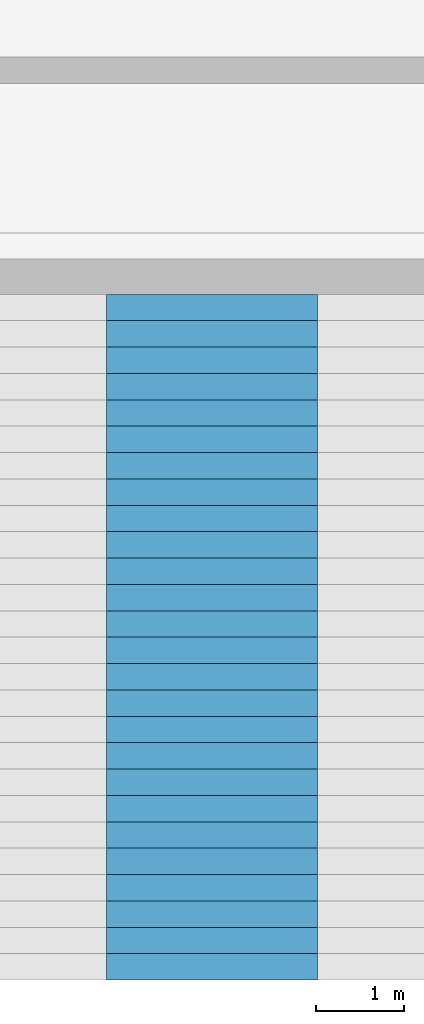
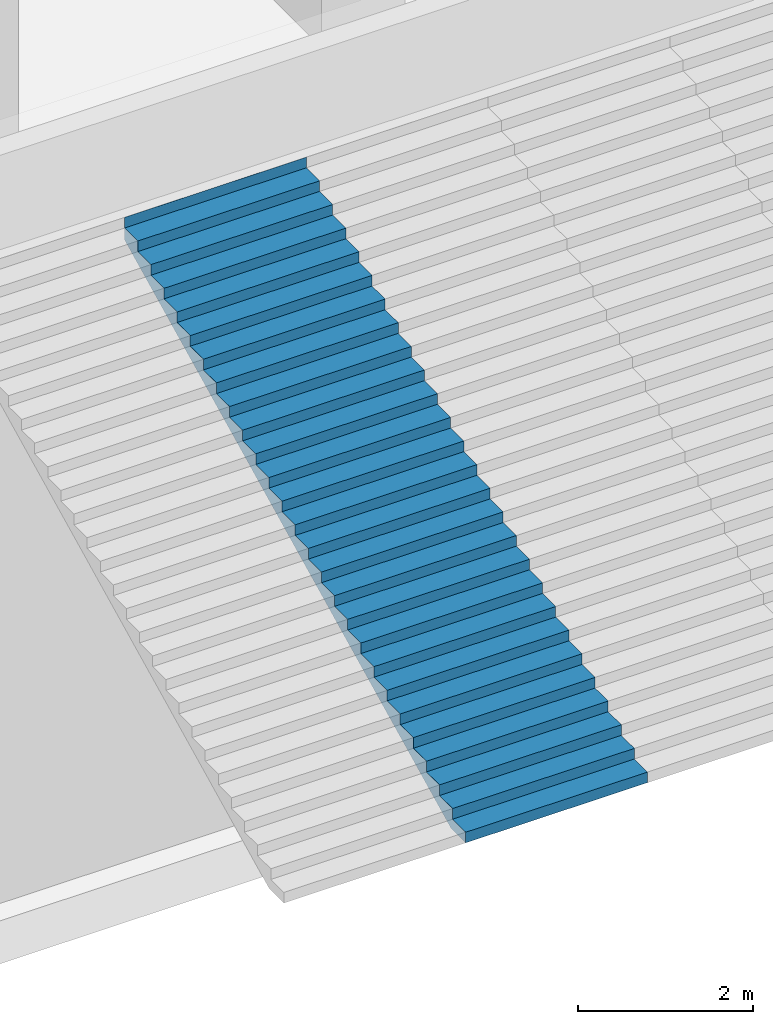
# One storey, part 24 of 45: 1 stair flight, 1 element without a shape of its own.
"""IFC4 building model written with IfcOpenShell, lengths in metres."""

import ifcopenshell
import ifcopenshell.guid

model = None  # the IFC model being written
_history = None  # IfcOwnerHistory: only IFC2X3 demands one
_inside = {}  # id of a spatial element -> (the spatial element, [elements in it])
_under = {}  # id of a project, library or spatial element -> (it, [spatial elements below it])
_declared = {}  # id of a project -> (the project, [libraries it declares])
_typed = {}  # id of a type object -> (the type object, [elements of that type])
_made_of = {}  # id of a material, layer set ... -> (it, [elements and type objects made of it])


def new_model(schema):
    """Start an empty IFC model of exactly this schema.

    Asked for "IFC4X3", IfcOpenShell would pick the latest addendum, in which some entities
    have other attributes; the version numbers below select the first issue.
    IFC2X3 requires an IfcOwnerHistory on every rooted entity: one is made here for all.
    """
    global model, _history
    if schema == "IFC4X3":
        model = ifcopenshell.file(schema_version=(4, 3, 0, 0))
    else:
        model = ifcopenshell.file(schema=schema)
    _inside.clear()
    _under.clear()
    _declared.clear()
    _typed.clear()
    _made_of.clear()
    _history = None
    if model.schema == "IFC2X3":
        org = make("IfcOrganization", Name="unknown")
        user = make(
            "IfcPersonAndOrganization",
            ThePerson=make("IfcPerson", FamilyName="unknown"),
            TheOrganization=org,
        )
        app = make(
            "IfcApplication",
            ApplicationDeveloper=org,
            Version="unknown",
            ApplicationFullName="unknown",
            ApplicationIdentifier="unknown",
        )
        _history = make(
            "IfcOwnerHistory",
            OwningUser=user,
            OwningApplication=app,
            ChangeAction="ADDED",
            CreationDate=0,
        )
    return model


def make(cls, **values):
    """One entity of the class cls with the attributes given. An attribute that is None is left unset."""
    return model.create_entity(
        cls, **{name: value for name, value in values.items() if value is not None}
    )


def rooted(cls, **values):
    """An entity with a GlobalId (a new one), such as an element, a storey or a relation."""
    return make(cls, GlobalId=ifcopenshell.guid.new(), OwnerHistory=_history, **values)


def si_unit(unit_type, name, prefix=None):
    """IfcSIUnit, for example si_unit("LENGTHUNIT", "METRE", prefix="MILLI")."""
    return make("IfcSIUnit", UnitType=unit_type, Prefix=prefix, Name=name)


def assignment(units):
    """IfcUnitAssignment: the units of a project."""
    return None if units is None else make("IfcUnitAssignment", Units=units)


def point(xyz):
    """IfcCartesianPoint."""
    return None if xyz is None else make("IfcCartesianPoint", Coordinates=xyz)


def direction(xyz):
    """IfcDirection."""
    return None if xyz is None else make("IfcDirection", DirectionRatios=xyz)


def frame(location, z_axis=None, x_axis=None):
    """IfcAxis2Placement3D, a coordinate frame: its origin and axes. An axis left out is left unset."""
    return make(
        "IfcAxis2Placement3D",
        Location=point(location),
        Axis=direction(z_axis),
        RefDirection=direction(x_axis),
    )


def origin():
    """The frame at (0, 0, 0) with its axes left unset."""
    return frame((0.0, 0.0, 0.0))


def place(relative_to, where):
    """IfcLocalPlacement: puts the frame where relative to a parent placement (None: the world)."""
    return make(
        "IfcLocalPlacement", PlacementRelTo=relative_to, RelativePlacement=where
    )


def context(
    kind, dimensions, precision=None, world=None, true_north=None, identifier=None
):
    """IfcGeometricRepresentationContext, for example the 3D "Model" context."""
    return make(
        "IfcGeometricRepresentationContext",
        ContextIdentifier=identifier,
        ContextType=kind,
        CoordinateSpaceDimension=dimensions,
        Precision=precision,
        WorldCoordinateSystem=world,
        TrueNorth=true_north,
    )


def subcontext(parent, identifier, kind, view, scale=None):
    """IfcGeometricRepresentationSubContext, for example "Body" below "Model"."""
    return make(
        "IfcGeometricRepresentationSubContext",
        ContextIdentifier=identifier,
        ContextType=kind,
        ParentContext=parent,
        TargetScale=scale,
        TargetView=view,
    )


def project(units=None, contexts=None):
    """IfcProject with its units and contexts."""
    return rooted(
        "IfcProject",
        Name="project",
        RepresentationContexts=contexts,
        UnitsInContext=assignment(units),
    )


def spatial(cls, under=None, at=None, **own):
    """A site, building, storey or space (cls), placed at a placement, below another one or the project."""
    s = rooted(cls, ObjectPlacement=at, **own)
    if under is not None:
        _under.setdefault(under.id(), (under, []))[1].append(s)
    return s


def point_list(points):
    """IfcCartesianPointList2D or 3D."""
    cls = (
        "IfcCartesianPointList2D" if len(points[0]) == 2 else "IfcCartesianPointList3D"
    )
    return make(cls, CoordList=points)


def triangles(points, corners, closed=None, point_numbers=None):
    """IfcTriangulatedFaceSet: each triangle names its three corners, points numbered from 1."""
    return make(
        "IfcTriangulatedFaceSet",
        Coordinates=point_list(points),
        Closed=closed,
        CoordIndex=corners,
        PnIndex=point_numbers,
    )


def shape(context_of_items, identifier, shape_type, items):
    """IfcShapeRepresentation: the items that make up one representation, for example the "Body"."""
    return make(
        "IfcShapeRepresentation",
        ContextOfItems=context_of_items,
        RepresentationIdentifier=identifier,
        RepresentationType=shape_type,
        Items=items,
    )


def material(Name=None, Category=None):
    """IfcMaterial."""
    return make("IfcMaterial", Name=Name, Category=Category)


def made_of(thing, what):
    """Note that an element or type object is made of a material, layer set ...; save() writes the relation."""
    if what is not None:
        _made_of.setdefault(what.id(), (what, []))[1].append(thing)
    return thing


def type_object(cls, material=None, **own):
    """A type object (cls), such as IfcWallType, which elements share."""
    return made_of(rooted(cls, **own), material)


def element(
    cls,
    number,
    at=None,
    inside=None,
    cuts=None,
    type_object=None,
    material=None,
    context=None,
    identifier="Body",
    shape_type=None,
    held_by="IfcProductDefinitionShape",
    body=None,
    shapes=None,
    **own,
):
    """One element of the class cls, such as IfcWall. Its Tag is "e" and its number.

    at: its placement. inside: the storey or other place that contains it. cuts: it is an
    opening in that element (IfcRelVoidsElement). A single representation is given by context,
    identifier, shape_type and body (its items); several are given by shapes. held_by: the class
    of the entity that holds the representations. save() writes the other relations.
    """
    e = rooted(cls, Tag="e%d" % number, ObjectPlacement=at, **own)
    if body is not None:
        shapes = [shape(context, identifier, shape_type, body)]
    if shapes is not None:
        e.Representation = make(held_by, Representations=shapes)
    if inside is not None:
        _inside.setdefault(inside.id(), (inside, []))[1].append(e)
    if cuts is not None:
        rooted(
            "IfcRelVoidsElement", RelatingBuildingElement=cuts, RelatedOpeningElement=e
        )
    if type_object is not None:
        _typed.setdefault(type_object.id(), (type_object, []))[1].append(e)
    return made_of(e, material)


def aggregate(whole, parts):
    """IfcRelAggregates: a whole, such as a stair, and the parts it consists of."""
    return rooted("IfcRelAggregates", RelatingObject=whole, RelatedObjects=parts)


def save(model, path):
    """Write the relations noted so far, then the file.

    IfcRelAggregates (storeys below a building ...), IfcRelContainedInSpatialStructure (elements
    in a storey), IfcRelDefinesByType, IfcRelAssociatesMaterial and IfcRelDeclares: one each for
    every whole, place, type object, material and project.
    """
    for whole, parts in _under.values():
        aggregate(whole, parts)
    for where, things in _inside.values():
        rooted(
            "IfcRelContainedInSpatialStructure",
            RelatedElements=things,
            RelatingStructure=where,
        )
    for kind, things in _typed.values():
        rooted("IfcRelDefinesByType", RelatedObjects=things, RelatingType=kind)
    for what, things in _made_of.values():
        rooted("IfcRelAssociatesMaterial", RelatedObjects=things, RelatingMaterial=what)
    for by, libraries in _declared.values():
        rooted("IfcRelDeclares", RelatingContext=by, RelatedDefinitions=libraries)
    model.write(path)


model = new_model("IFC4")

# Units and contexts
model_context = context("Model", 3, precision=1e-05, world=origin(), true_north=direction((0.0, 1.0)))
body_context = subcontext(model_context, "Body", "Model", "MODEL_VIEW")
ifc_project = project(units=[si_unit("LENGTHUNIT", "METRE"), si_unit("AREAUNIT", "SQUARE_METRE"), si_unit("VOLUMEUNIT", "CUBIC_METRE"), si_unit("PLANEANGLEUNIT", "RADIAN"), si_unit("MASSUNIT", "GRAM", prefix="KILO")], contexts=[model_context])

# Site, building, storey
site_placement = place(None, origin())
site = spatial("IfcSite", under=ifc_project, at=site_placement, CompositionType="ELEMENT")
building_placement = place(site_placement, origin())
building = spatial("IfcBuilding", under=site, at=building_placement, Name="Beryl Residences", CompositionType="ELEMENT")
storey_placement = place(building_placement, frame((0.0, 0.0, 5.0)))
storey = spatial("IfcBuildingStorey", under=building, at=storey_placement, Name="L01", CompositionType="ELEMENT", Elevation=5.0)

# Stair, stair flight
ifc_material_1 = material(Name="Precast concrete C40/50", Category="concrete")
stair_type = type_object("IfcStairType", Name="GS2 garden stair", PredefinedType="STRAIGHT_RUN_STAIR", material=ifc_material_1)
stair_placement = place(storey_placement, origin())
stair = element("IfcStair", 1, at=stair_placement, inside=storey, type_object=stair_type, Name="GS2 garden stair", PredefinedType="STRAIGHT_RUN_STAIR")
ifc_material_2 = material(Name="Precast concrete C40/50", Category="concrete")
stair_flight_type = type_object("IfcStairFlightType", Name="GF2 garden stair flight", PredefinedType="STRAIGHT", material=ifc_material_2)
stair_flight_placement = place(storey_placement, frame((-8.39990234375, -42.199951171875, 0.0), z_axis=(0.0, 0.0, 1.0), x_axis=(0.0, 1.0, 0.0)))
stair_flight = element("IfcStairFlight", 2, at=stair_flight_placement, type_object=stair_flight_type, Name="GS2 flight 2", NumberOfRisers=27, NumberOfTreads=26, PredefinedType="STRAIGHT", RiserHeight=0.148148148, TreadLength=0.3, context=body_context, shape_type="Tessellation", body=[
    triangles([(0.0, -1.199951171875, 0.0), (0.0, -0.60009765625, 0.0), (0.0, 0.0, 0.0), (0.0, 0.60009765625, 0.0), (0.0, 1.199951171875, 0.0), (0.0, -1.199951171875, 0.148193359375), (0.0, -0.60009765625, 0.148193359375), (0.0, 0.0, 0.148193359375), (0.0, 0.60009765625, 0.148193359375), (0.0, 1.199951171875, 0.148193359375), (0.300048828125, -1.199951171875, 0.148193359375), (0.300048828125, -0.60009765625, 0.148193359375), (0.300048828125, 0.0, 0.148193359375), (0.300048828125, 0.60009765625, 0.148193359375), (0.300048828125, 1.199951171875, 0.148193359375), (0.300048828125, -1.199951171875, 0.29638671875), (0.300048828125, -0.60009765625, 0.29638671875), (0.300048828125, 0.0, 0.29638671875), (0.300048828125, 0.60009765625, 0.29638671875), (0.300048828125, 1.199951171875, 0.29638671875), (0.60009765625, -1.199951171875, 0.29638671875), (0.60009765625, -0.60009765625, 0.29638671875), (0.60009765625, 0.0, 0.29638671875), (0.60009765625, 0.60009765625, 0.29638671875), (0.60009765625, 1.199951171875, 0.29638671875), (0.60009765625, -1.199951171875, 0.4443359375), (0.60009765625, -0.60009765625, 0.4443359375), (0.60009765625, 0.0, 0.4443359375), (0.60009765625, 0.60009765625, 0.4443359375), (0.60009765625, 1.199951171875, 0.4443359375), (0.89990234375, -1.199951171875, 0.4443359375), (0.89990234375, -0.60009765625, 0.4443359375), (0.89990234375, 0.0, 0.4443359375), (0.89990234375, 0.60009765625, 0.4443359375), (0.89990234375, 1.199951171875, 0.4443359375), (0.89990234375, -1.199951171875, 0.592529296875), (0.89990234375, -0.60009765625, 0.592529296875), (0.89990234375, 0.0, 0.592529296875), (0.89990234375, 0.60009765625, 0.592529296875), (0.89990234375, 1.199951171875, 0.592529296875), (1.199951171875, -1.199951171875, 0.592529296875), (1.199951171875, -0.60009765625, 0.592529296875), (1.199951171875, 0.0, 0.592529296875), (1.199951171875, 0.60009765625, 0.592529296875), (1.199951171875, 1.199951171875, 0.592529296875), (1.199951171875, -1.199951171875, 0.74072265625), (1.199951171875, -0.60009765625, 0.74072265625), (1.199951171875, 0.0, 0.74072265625), (1.199951171875, 0.60009765625, 0.74072265625), (1.199951171875, 1.199951171875, 0.74072265625), (1.5, -1.199951171875, 0.74072265625), (1.5, -0.60009765625, 0.74072265625), (1.5, 0.0, 0.74072265625), (1.5, 0.60009765625, 0.74072265625), (1.5, 1.199951171875, 0.74072265625), (1.5, -1.199951171875, 0.888916015625), (1.5, -0.60009765625, 0.888916015625), (1.5, 0.0, 0.888916015625), (1.5, 0.60009765625, 0.888916015625), (1.5, 1.199951171875, 0.888916015625), (1.800048828125, -1.199951171875, 0.888916015625), (1.800048828125, -0.60009765625, 0.888916015625), (1.800048828125, 0.0, 0.888916015625), (1.800048828125, 0.60009765625, 0.888916015625), (1.800048828125, 1.199951171875, 0.888916015625), (1.800048828125, -1.199951171875, 1.037109375), (1.800048828125, -0.60009765625, 1.037109375), (1.800048828125, 0.0, 1.037109375), (1.800048828125, 0.60009765625, 1.037109375), (1.800048828125, 1.199951171875, 1.037109375), (2.10009765625, -1.199951171875, 1.037109375), (2.10009765625, -0.60009765625, 1.037109375), (2.10009765625, 0.0, 1.037109375), (2.10009765625, 0.60009765625, 1.037109375), (2.10009765625, 1.199951171875, 1.037109375), (2.10009765625, -1.199951171875, 1.185302734375), (2.10009765625, -0.60009765625, 1.185302734375), (2.10009765625, 0.0, 1.185302734375), (2.10009765625, 0.60009765625, 1.185302734375), (2.10009765625, 1.199951171875, 1.185302734375), (2.39990234375, -1.199951171875, 1.185302734375), (2.39990234375, -0.60009765625, 1.185302734375), (2.39990234375, 0.0, 1.185302734375), (2.39990234375, 0.60009765625, 1.185302734375), (2.39990234375, 1.199951171875, 1.185302734375), (2.39990234375, -1.199951171875, 1.333251953125), (2.39990234375, -0.60009765625, 1.333251953125), (2.39990234375, 0.0, 1.333251953125), (2.39990234375, 0.60009765625, 1.333251953125), (2.39990234375, 1.199951171875, 1.333251953125), (2.699951171875, -1.199951171875, 1.333251953125), (2.699951171875, -0.60009765625, 1.333251953125), (2.699951171875, 0.0, 1.333251953125), (2.699951171875, 0.60009765625, 1.333251953125), (2.699951171875, 1.199951171875, 1.333251953125), (2.699951171875, -1.199951171875, 1.4814453125), (2.699951171875, -0.60009765625, 1.4814453125), (2.699951171875, 0.0, 1.4814453125), (2.699951171875, 0.60009765625, 1.4814453125), (2.699951171875, 1.199951171875, 1.4814453125), (3.0, -1.199951171875, 1.4814453125), (3.0, -0.60009765625, 1.4814453125), (3.0, 0.0, 1.4814453125), (3.0, 0.60009765625, 1.4814453125), (3.0, 1.199951171875, 1.4814453125), (3.0, -1.199951171875, 1.629638671875), (3.0, -0.60009765625, 1.629638671875), (3.0, 0.0, 1.629638671875), (3.0, 0.60009765625, 1.629638671875), (3.0, 1.199951171875, 1.629638671875), (3.300048828125, -1.199951171875, 1.629638671875), (3.300048828125, -0.60009765625, 1.629638671875), (3.300048828125, 0.0, 1.629638671875), (3.300048828125, 0.60009765625, 1.629638671875), (3.300048828125, 1.199951171875, 1.629638671875), (3.300048828125, -1.199951171875, 1.77783203125), (3.300048828125, -0.60009765625, 1.77783203125), (3.300048828125, 0.0, 1.77783203125), (3.300048828125, 0.60009765625, 1.77783203125), (3.300048828125, 1.199951171875, 1.77783203125), (3.60009765625, -1.199951171875, 1.77783203125), (3.60009765625, -0.60009765625, 1.77783203125), (3.60009765625, 0.0, 1.77783203125), (3.60009765625, 0.60009765625, 1.77783203125), (3.60009765625, 1.199951171875, 1.77783203125), (3.60009765625, -1.199951171875, 1.926025390625), (3.60009765625, -0.60009765625, 1.926025390625), (3.60009765625, 0.0, 1.926025390625), (3.60009765625, 0.60009765625, 1.926025390625), (3.60009765625, 1.199951171875, 1.926025390625), (3.89990234375, -1.199951171875, 1.926025390625), (3.89990234375, -0.60009765625, 1.926025390625), (3.89990234375, 0.0, 1.926025390625), (3.89990234375, 0.60009765625, 1.926025390625), (3.89990234375, 1.199951171875, 1.926025390625), (3.89990234375, -1.199951171875, 2.073974609375), (3.89990234375, -0.60009765625, 2.073974609375), (3.89990234375, 0.0, 2.073974609375), (3.89990234375, 0.60009765625, 2.073974609375), (3.89990234375, 1.199951171875, 2.073974609375), (4.199951171875, -1.199951171875, 2.073974609375), (4.199951171875, -0.60009765625, 2.073974609375), (4.199951171875, 0.0, 2.073974609375), (4.199951171875, 0.60009765625, 2.073974609375), (4.199951171875, 1.199951171875, 2.073974609375), (4.199951171875, -1.199951171875, 2.22216796875), (4.199951171875, -0.60009765625, 2.22216796875), (4.199951171875, 0.0, 2.22216796875), (4.199951171875, 0.60009765625, 2.22216796875), (4.199951171875, 1.199951171875, 2.22216796875), (4.5, -1.199951171875, 2.22216796875), (4.5, -0.60009765625, 2.22216796875), (4.5, 0.0, 2.22216796875), (4.5, 0.60009765625, 2.22216796875), (4.5, 1.199951171875, 2.22216796875), (4.5, -1.199951171875, 2.370361328125), (4.5, -0.60009765625, 2.370361328125), (4.5, 0.0, 2.370361328125), (4.5, 0.60009765625, 2.370361328125), (4.5, 1.199951171875, 2.370361328125), (4.800048828125, -1.199951171875, 2.370361328125), (4.800048828125, -0.60009765625, 2.370361328125), (4.800048828125, 0.0, 2.370361328125), (4.800048828125, 0.60009765625, 2.370361328125), (4.800048828125, 1.199951171875, 2.370361328125), (4.800048828125, -1.199951171875, 2.5185546875), (4.800048828125, -0.60009765625, 2.5185546875), (4.800048828125, 0.0, 2.5185546875), (4.800048828125, 0.60009765625, 2.5185546875), (4.800048828125, 1.199951171875, 2.5185546875), (5.10009765625, -1.199951171875, 2.5185546875), (5.10009765625, -0.60009765625, 2.5185546875), (5.10009765625, 0.0, 2.5185546875), (5.10009765625, 0.60009765625, 2.5185546875), (5.10009765625, 1.199951171875, 2.5185546875), (5.10009765625, -1.199951171875, 2.666748046875), (5.10009765625, -0.60009765625, 2.666748046875), (5.10009765625, 0.0, 2.666748046875), (5.10009765625, 0.60009765625, 2.666748046875), (5.10009765625, 1.199951171875, 2.666748046875), (5.39990234375, -1.199951171875, 2.666748046875), (5.39990234375, -0.60009765625, 2.666748046875), (5.39990234375, 0.0, 2.666748046875), (5.39990234375, 0.60009765625, 2.666748046875), (5.39990234375, 1.199951171875, 2.666748046875), (5.39990234375, -1.199951171875, 2.814697265625), (5.39990234375, -0.60009765625, 2.814697265625), (5.39990234375, 0.0, 2.814697265625), (5.39990234375, 0.60009765625, 2.814697265625), (5.39990234375, 1.199951171875, 2.814697265625), (5.699951171875, -1.199951171875, 2.814697265625), (5.699951171875, -0.60009765625, 2.814697265625), (5.699951171875, 0.0, 2.814697265625), (5.699951171875, 0.60009765625, 2.814697265625), (5.699951171875, 1.199951171875, 2.814697265625), (5.699951171875, -1.199951171875, 2.962890625), (5.699951171875, -0.60009765625, 2.962890625), (5.699951171875, 0.0, 2.962890625), (5.699951171875, 0.60009765625, 2.962890625), (5.699951171875, 1.199951171875, 2.962890625), (6.0, -1.199951171875, 2.962890625), (6.0, -0.60009765625, 2.962890625), (6.0, 0.0, 2.962890625), (6.0, 0.60009765625, 2.962890625), (6.0, 1.199951171875, 2.962890625), (6.0, -1.199951171875, 3.111083984375), (6.0, -0.60009765625, 3.111083984375), (6.0, 0.0, 3.111083984375), (6.0, 0.60009765625, 3.111083984375), (6.0, 1.199951171875, 3.111083984375), (6.300048828125, -1.199951171875, 3.111083984375), (6.300048828125, -0.60009765625, 3.111083984375), (6.300048828125, 0.0, 3.111083984375), (6.300048828125, 0.60009765625, 3.111083984375), (6.300048828125, 1.199951171875, 3.111083984375), (6.300048828125, -1.199951171875, 3.25927734375), (6.300048828125, -0.60009765625, 3.25927734375), (6.300048828125, 0.0, 3.25927734375), (6.300048828125, 0.60009765625, 3.25927734375), (6.300048828125, 1.199951171875, 3.25927734375), (6.60009765625, -1.199951171875, 3.25927734375), (6.60009765625, -0.60009765625, 3.25927734375), (6.60009765625, 0.0, 3.25927734375), (6.60009765625, 0.60009765625, 3.25927734375), (6.60009765625, 1.199951171875, 3.25927734375), (6.60009765625, -1.199951171875, 3.407470703125), (6.60009765625, -0.60009765625, 3.407470703125), (6.60009765625, 0.0, 3.407470703125), (6.60009765625, 0.60009765625, 3.407470703125), (6.60009765625, 1.199951171875, 3.407470703125), (6.89990234375, -1.199951171875, 3.407470703125), (6.89990234375, -0.60009765625, 3.407470703125), (6.89990234375, 0.0, 3.407470703125), (6.89990234375, 0.60009765625, 3.407470703125), (6.89990234375, 1.199951171875, 3.407470703125), (6.89990234375, -1.199951171875, 3.5556640625), (6.89990234375, -0.60009765625, 3.5556640625), (6.89990234375, 0.0, 3.5556640625), (6.89990234375, 0.60009765625, 3.5556640625), (6.89990234375, 1.199951171875, 3.5556640625), (7.199951171875, -1.199951171875, 3.5556640625), (7.199951171875, -0.60009765625, 3.5556640625), (7.199951171875, 0.0, 3.5556640625), (7.199951171875, 0.60009765625, 3.5556640625), (7.199951171875, 1.199951171875, 3.5556640625), (7.199951171875, -1.199951171875, 3.70361328125), (7.199951171875, -0.60009765625, 3.70361328125), (7.199951171875, 0.0, 3.70361328125), (7.199951171875, 0.60009765625, 3.70361328125), (7.199951171875, 1.199951171875, 3.70361328125), (7.5, -1.199951171875, 3.70361328125), (7.5, -0.60009765625, 3.70361328125), (7.5, 0.0, 3.70361328125), (7.5, 0.60009765625, 3.70361328125), (7.5, 1.199951171875, 3.70361328125), (7.5, -1.199951171875, 3.851806640625), (7.5, -0.60009765625, 3.851806640625), (7.5, 0.0, 3.851806640625), (7.5, 0.60009765625, 3.851806640625), (7.5, 1.199951171875, 3.851806640625), (7.800048828125, -1.199951171875, 3.851806640625), (7.800048828125, -0.60009765625, 3.851806640625), (7.800048828125, 0.0, 3.851806640625), (7.800048828125, 0.60009765625, 3.851806640625), (7.800048828125, 1.199951171875, 3.851806640625), (7.800048828125, -1.199951171875, 4.0), (7.800048828125, -0.60009765625, 4.0), (7.800048828125, 0.0, 4.0), (7.800048828125, 0.60009765625, 4.0), (7.800048828125, 1.199951171875, 4.0), (7.801025390625, -1.199951171875, 4.0), (7.801025390625, -0.60009765625, 4.0), (7.801025390625, 0.0, 4.0), (7.801025390625, 0.60009765625, 4.0), (7.801025390625, 1.199951171875, 4.0), (7.801025390625, -1.199951171875, 3.6845703125), (7.801025390625, -0.60009765625, 3.6845703125), (7.801025390625, 0.0, 3.6845703125), (7.801025390625, 0.60009765625, 3.6845703125), (7.801025390625, 1.199951171875, 3.6845703125), (0.339599609375, -1.199951171875, 0.0), (0.339599609375, -0.60009765625, 0.0), (0.339599609375, 0.0, 0.0), (0.339599609375, 0.60009765625, 0.0), (0.339599609375, 1.199951171875, 0.0)], [[1, 6, 7], [1, 7, 2], [2, 7, 8], [2, 8, 3], [3, 8, 9], [3, 9, 4], [4, 9, 10], [4, 10, 5], [6, 11, 12], [6, 12, 7], [7, 12, 13], [7, 13, 8], [8, 13, 14], [8, 14, 9], [9, 14, 15], [9, 15, 10], [11, 16, 17], [11, 17, 12], [12, 17, 18], [12, 18, 13], [13, 18, 19], [13, 19, 14], [14, 19, 20], [14, 20, 15], [16, 21, 22], [16, 22, 17], [17, 22, 23], [17, 23, 18], [18, 23, 24], [18, 24, 19], [19, 24, 25], [19, 25, 20], [21, 26, 27], [21, 27, 22], [22, 27, 28], [22, 28, 23], [23, 28, 29], [23, 29, 24], [24, 29, 30], [24, 30, 25], [26, 31, 32], [26, 32, 27], [27, 32, 33], [27, 33, 28], [28, 33, 34], [28, 34, 29], [29, 34, 35], [29, 35, 30], [31, 36, 37], [31, 37, 32], [32, 37, 38], [32, 38, 33], [33, 38, 39], [33, 39, 34], [34, 39, 40], [34, 40, 35], [36, 41, 42], [36, 42, 37], [37, 42, 43], [37, 43, 38], [38, 43, 44], [38, 44, 39], [39, 44, 45], [39, 45, 40], [41, 46, 47], [41, 47, 42], [42, 47, 48], [42, 48, 43], [43, 48, 49], [43, 49, 44], [44, 49, 50], [44, 50, 45], [46, 51, 52], [46, 52, 47], [47, 52, 53], [47, 53, 48], [48, 53, 54], [48, 54, 49], [49, 54, 55], [49, 55, 50], [51, 56, 57], [51, 57, 52], [52, 57, 58], [52, 58, 53], [53, 58, 59], [53, 59, 54], [54, 59, 60], [54, 60, 55], [56, 61, 62], [56, 62, 57], [57, 62, 63], [57, 63, 58], [58, 63, 64], [58, 64, 59], [59, 64, 65], [59, 65, 60], [61, 66, 67], [61, 67, 62], [62, 67, 68], [62, 68, 63], [63, 68, 69], [63, 69, 64], [64, 69, 70], [64, 70, 65], [66, 71, 72], [66, 72, 67], [67, 72, 73], [67, 73, 68], [68, 73, 74], [68, 74, 69], [69, 74, 75], [69, 75, 70], [71, 76, 77], [71, 77, 72], [72, 77, 78], [72, 78, 73], [73, 78, 79], [73, 79, 74], [74, 79, 80], [74, 80, 75], [76, 81, 82], [76, 82, 77], [77, 82, 83], [77, 83, 78], [78, 83, 84], [78, 84, 79], [79, 84, 85], [79, 85, 80], [81, 86, 87], [81, 87, 82], [82, 87, 88], [82, 88, 83], [83, 88, 89], [83, 89, 84], [84, 89, 90], [84, 90, 85], [86, 91, 92], [86, 92, 87], [87, 92, 93], [87, 93, 88], [88, 93, 94], [88, 94, 89], [89, 94, 95], [89, 95, 90], [91, 96, 97], [91, 97, 92], [92, 97, 98], [92, 98, 93], [93, 98, 99], [93, 99, 94], [94, 99, 100], [94, 100, 95], [96, 101, 102], [96, 102, 97], [97, 102, 103], [97, 103, 98], [98, 103, 104], [98, 104, 99], [99, 104, 105], [99, 105, 100], [101, 106, 107], [101, 107, 102], [102, 107, 108], [102, 108, 103], [103, 108, 109], [103, 109, 104], [104, 109, 110], [104, 110, 105], [106, 111, 112], [106, 112, 107], [107, 112, 113], [107, 113, 108], [108, 113, 114], [108, 114, 109], [109, 114, 115], [109, 115, 110], [111, 116, 117], [111, 117, 112], [112, 117, 118], [112, 118, 113], [113, 118, 119], [113, 119, 114], [114, 119, 120], [114, 120, 115], [116, 121, 122], [116, 122, 117], [117, 122, 123], [117, 123, 118], [118, 123, 124], [118, 124, 119], [119, 124, 125], [119, 125, 120], [121, 126, 127], [121, 127, 122], [122, 127, 128], [122, 128, 123], [123, 128, 129], [123, 129, 124], [124, 129, 130], [124, 130, 125], [126, 131, 132], [126, 132, 127], [127, 132, 133], [127, 133, 128], [128, 133, 134], [128, 134, 129], [129, 134, 135], [129, 135, 130], [131, 136, 137], [131, 137, 132], [132, 137, 138], [132, 138, 133], [133, 138, 139], [133, 139, 134], [134, 139, 140], [134, 140, 135], [136, 141, 142], [136, 142, 137], [137, 142, 143], [137, 143, 138], [138, 143, 144], [138, 144, 139], [139, 144, 145], [139, 145, 140], [141, 146, 147], [141, 147, 142], [142, 147, 148], [142, 148, 143], [143, 148, 149], [143, 149, 144], [144, 149, 150], [144, 150, 145], [146, 151, 152], [146, 152, 147], [147, 152, 153], [147, 153, 148], [148, 153, 154], [148, 154, 149], [149, 154, 155], [149, 155, 150], [151, 156, 157], [151, 157, 152], [152, 157, 158], [152, 158, 153], [153, 158, 159], [153, 159, 154], [154, 159, 160], [154, 160, 155], [156, 161, 162], [156, 162, 157], [157, 162, 163], [157, 163, 158], [158, 163, 164], [158, 164, 159], [159, 164, 165], [159, 165, 160], [161, 166, 167], [161, 167, 162], [162, 167, 168], [162, 168, 163], [163, 168, 169], [163, 169, 164], [164, 169, 170], [164, 170, 165], [166, 171, 172], [166, 172, 167], [167, 172, 173], [167, 173, 168], [168, 173, 174], [168, 174, 169], [169, 174, 175], [169, 175, 170], [171, 176, 177], [171, 177, 172], [172, 177, 178], [172, 178, 173], [173, 178, 179], [173, 179, 174], [174, 179, 180], [174, 180, 175], [176, 181, 182], [176, 182, 177], [177, 182, 183], [177, 183, 178], [178, 183, 184], [178, 184, 179], [179, 184, 185], [179, 185, 180], [181, 186, 187], [181, 187, 182], [182, 187, 188], [182, 188, 183], [183, 188, 189], [183, 189, 184], [184, 189, 190], [184, 190, 185], [186, 191, 192], [186, 192, 187], [187, 192, 193], [187, 193, 188], [188, 193, 194], [188, 194, 189], [189, 194, 195], [189, 195, 190], [191, 196, 197], [191, 197, 192], [192, 197, 198], [192, 198, 193], [193, 198, 199], [193, 199, 194], [194, 199, 200], [194, 200, 195], [196, 201, 202], [196, 202, 197], [197, 202, 203], [197, 203, 198], [198, 203, 204], [198, 204, 199], [199, 204, 205], [199, 205, 200], [201, 206, 207], [201, 207, 202], [202, 207, 208], [202, 208, 203], [203, 208, 209], [203, 209, 204], [204, 209, 210], [204, 210, 205], [206, 211, 212], [206, 212, 207], [207, 212, 213], [207, 213, 208], [208, 213, 214], [208, 214, 209], [209, 214, 215], [209, 215, 210], [211, 216, 217], [211, 217, 212], [212, 217, 218], [212, 218, 213], [213, 218, 219], [213, 219, 214], [214, 219, 220], [214, 220, 215], [216, 221, 222], [216, 222, 217], [217, 222, 223], [217, 223, 218], [218, 223, 224], [218, 224, 219], [219, 224, 225], [219, 225, 220], [221, 226, 227], [221, 227, 222], [222, 227, 228], [222, 228, 223], [223, 228, 229], [223, 229, 224], [224, 229, 230], [224, 230, 225], [226, 231, 232], [226, 232, 227], [227, 232, 233], [227, 233, 228], [228, 233, 234], [228, 234, 229], [229, 234, 235], [229, 235, 230], [231, 236, 237], [231, 237, 232], [232, 237, 238], [232, 238, 233], [233, 238, 239], [233, 239, 234], [234, 239, 240], [234, 240, 235], [236, 241, 242], [236, 242, 237], [237, 242, 243], [237, 243, 238], [238, 243, 244], [238, 244, 239], [239, 244, 245], [239, 245, 240], [241, 246, 247], [241, 247, 242], [242, 247, 248], [242, 248, 243], [243, 248, 249], [243, 249, 244], [244, 249, 250], [244, 250, 245], [246, 251, 252], [246, 252, 247], [247, 252, 253], [247, 253, 248], [248, 253, 254], [248, 254, 249], [249, 254, 255], [249, 255, 250], [251, 256, 257], [251, 257, 252], [252, 257, 258], [252, 258, 253], [253, 258, 259], [253, 259, 254], [254, 259, 260], [254, 260, 255], [256, 261, 262], [256, 262, 257], [257, 262, 263], [257, 263, 258], [258, 263, 264], [258, 264, 259], [259, 264, 265], [259, 265, 260], [261, 266, 267], [261, 267, 262], [262, 267, 268], [262, 268, 263], [263, 268, 269], [263, 269, 264], [264, 269, 270], [264, 270, 265], [266, 271, 272], [266, 272, 267], [267, 272, 273], [267, 273, 268], [268, 273, 274], [268, 274, 269], [269, 274, 275], [269, 275, 270], [271, 276, 277], [271, 277, 272], [272, 277, 278], [272, 278, 273], [273, 278, 279], [273, 279, 274], [274, 279, 280], [274, 280, 275], [276, 281, 282], [276, 282, 277], [277, 282, 283], [277, 283, 278], [278, 283, 284], [278, 284, 279], [279, 284, 285], [279, 285, 280], [281, 1, 2], [281, 2, 282], [282, 2, 3], [282, 3, 283], [283, 3, 4], [283, 4, 284], [284, 4, 5], [284, 5, 285], [1, 281, 276], [5, 280, 285], [276, 271, 266], [280, 270, 275], [276, 266, 261], [280, 265, 270], [276, 261, 256], [280, 260, 265], [276, 256, 251], [280, 255, 260], [276, 251, 246], [280, 250, 255], [276, 246, 241], [280, 245, 250], [241, 236, 231], [245, 235, 240], [276, 241, 231], [280, 235, 245], [231, 226, 221], [235, 225, 230], [276, 231, 221], [280, 225, 235], [221, 216, 211], [225, 215, 220], [276, 221, 211], [280, 215, 225], [211, 206, 201], [215, 205, 210], [276, 211, 201], [280, 205, 215], [201, 196, 191], [205, 195, 200], [276, 201, 191], [280, 195, 205], [191, 186, 181], [195, 185, 190], [276, 191, 181], [280, 185, 195], [181, 176, 171], [185, 175, 180], [276, 181, 171], [280, 175, 185], [171, 166, 161], [175, 165, 170], [276, 171, 161], [280, 165, 175], [161, 156, 151], [165, 155, 160], [276, 161, 151], [280, 155, 165], [151, 146, 141], [155, 145, 150], [276, 151, 141], [280, 145, 155], [141, 136, 131], [145, 135, 140], [276, 141, 131], [280, 135, 145], [131, 126, 121], [135, 125, 130], [276, 131, 121], [280, 125, 135], [121, 116, 111], [125, 115, 120], [276, 121, 111], [280, 115, 125], [111, 106, 101], [115, 105, 110], [276, 111, 101], [280, 105, 115], [101, 96, 91], [105, 95, 100], [276, 101, 91], [280, 95, 105], [91, 86, 81], [95, 85, 90], [276, 91, 81], [280, 85, 95], [81, 76, 71], [85, 75, 80], [276, 81, 71], [280, 75, 85], [71, 66, 61], [75, 65, 70], [276, 71, 61], [280, 65, 75], [61, 56, 51], [65, 55, 60], [276, 61, 51], [280, 55, 65], [51, 46, 41], [55, 45, 50], [276, 51, 41], [280, 45, 55], [41, 36, 31], [45, 35, 40], [276, 41, 31], [280, 35, 45], [1, 276, 31], [5, 35, 280], [31, 26, 21], [35, 25, 30], [21, 16, 11], [25, 15, 20], [31, 21, 11], [35, 15, 25], [1, 31, 11], [5, 15, 35], [11, 6, 1], [15, 5, 10]], closed=True),
])
aggregate(stair, [stair_flight])

save(model, "model.ifc")
